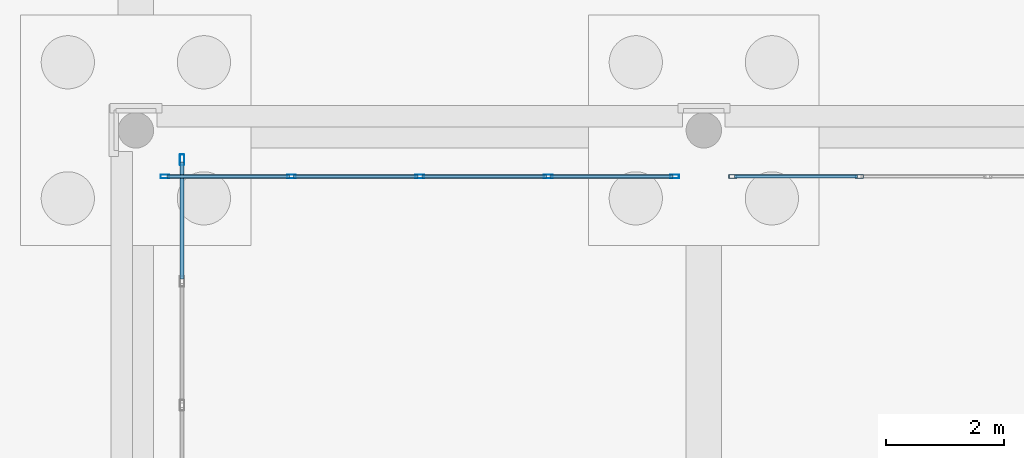
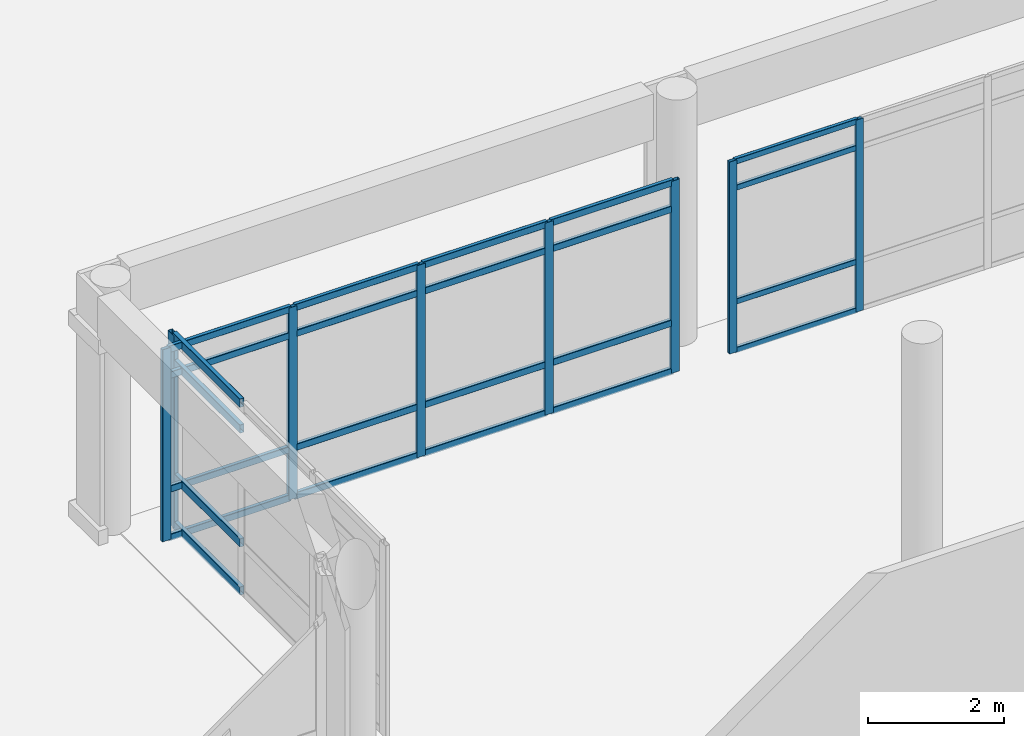
# One storey, part 76 of 196: 32 members, 3 elements without a shape of their own.
"""IFC4 building model written with IfcOpenShell, lengths in metres."""

from ifc_helpers import new_model, si_unit, direction, frame, origin, origin_2d, place, context, subcontext, project, spatial, hollow_rectangle, extrude, material, layer, layer_set, material_profile, profile_set, type_object, element, aggregate, save


model = new_model("IFC4")

# Units and contexts
model_context = context("Model", 3, precision=1e-05, world=origin(), true_north=direction((0.0, 1.0)))
body_context = subcontext(model_context, "Body", "Model", "MODEL_VIEW")
ifc_project = project(units=[si_unit("LENGTHUNIT", "METRE"), si_unit("AREAUNIT", "SQUARE_METRE"), si_unit("VOLUMEUNIT", "CUBIC_METRE"), si_unit("PLANEANGLEUNIT", "RADIAN"), si_unit("MASSUNIT", "GRAM", prefix="KILO")], contexts=[model_context])

# Site, building, storey
site_placement = place(None, origin())
site = spatial("IfcSite", under=ifc_project, at=site_placement, CompositionType="ELEMENT")
building_placement = place(site_placement, origin())
building = spatial("IfcBuilding", under=site, at=building_placement, Name="Asteropetra Specialist Clinic", CompositionType="ELEMENT")
storey_placement = place(building_placement, origin())
storey = spatial("IfcBuildingStorey", under=building, at=storey_placement, Name="L00", CompositionType="ELEMENT", Elevation=0.0)

# Curtain wall, members
ifc_material_1 = material(Name="Aluminium and low-E glass", Category="aluminium")
ifc_layer_1 = layer(ifc_material_1, 0.14990234375)
ifc_layer_set_1 = layer_set([ifc_layer_1], Name="Aluminium and low-E glass")
curtain_wall_type_1 = type_object("IfcCurtainWallType", Name="CW-SYS-11", PredefinedType="USERDEFINED", material=ifc_layer_set_1)
curtain_wall_1_placement = place(storey_placement, origin())
curtain_wall_1 = element("IfcCurtainWall", 1, at=curtain_wall_1_placement, inside=storey, type_object=curtain_wall_type_1, Name="Curtain Wall CW-167", ObjectType="STICK GLAZED COLONNADE", PredefinedType="USERDEFINED")
ifc_material_2 = material(Name="Aluminium 6063-T6", Category="aluminium")
ifc_material_profile_1 = material_profile(ifc_material_2, hollow_rectangle(XDim=0.06005859375, YDim=0.135009765625, WallThickness=0.00341796875, InnerFilletRadius=0.00341796875, OuterFilletRadius=0.007080078125, at=origin_2d()), Name="MUL 135x60x3.5")
ifc_profile_set_1 = profile_set([ifc_material_profile_1], Name="Aluminium 6063-T6")
member_type_1 = type_object("IfcMemberType", Name="CWM-135x60", PredefinedType="MULLION", material=ifc_profile_set_1)
member_1_placement = place(storey_placement, frame((89.030029296875, 61.6201171875, 0.0), z_axis=(0.0, 0.0, 1.0), x_axis=(0.0, -1.0, 0.0)))
member_1 = element("IfcMember", 2, at=member_1_placement, type_object=member_type_1, Name="CW-167 mullion 4", PredefinedType="MULLION", context=body_context, shape_type="SweptSolid", body=[
    extrude(hollow_rectangle(XDim=0.06005859375, YDim=0.135009765625, WallThickness=0.00341796875, InnerFilletRadius=0.00341796875, OuterFilletRadius=0.007080078125, at=origin_2d()), origin(), (0.0, 0.0, 1.0), 3.43994140625),
])
member_2_placement = place(storey_placement, frame((86.889892578125, 61.6201171875, 0.0), z_axis=(0.0, 0.0, 1.0), x_axis=(0.0, -1.0, 0.0)))
member_2 = element("IfcMember", 3, at=member_2_placement, type_object=member_type_1, Name="CW-167 mullion 5", PredefinedType="MULLION", context=body_context, shape_type="SweptSolid", body=[
    extrude(hollow_rectangle(XDim=0.06005859375, YDim=0.135009765625, WallThickness=0.00341796875, InnerFilletRadius=0.00341796875, OuterFilletRadius=0.007080078125, at=origin_2d()), origin(), (0.0, 0.0, 1.0), 3.43994140625),
])

ifc_material_3 = material(Name="Aluminium and low-E glass", Category="aluminium")
ifc_layer_2 = layer(ifc_material_3, 0.135009765625)
ifc_layer_set_2 = layer_set([ifc_layer_2], Name="Aluminium and low-E glass")
curtain_wall_type_2 = type_object("IfcCurtainWallType", Name="CW-SYS-09", PredefinedType="USERDEFINED", material=ifc_layer_set_2)
curtain_wall_2_placement = place(storey_placement, origin())
curtain_wall_2 = element("IfcCurtainWall", 4, at=curtain_wall_2_placement, inside=storey, type_object=curtain_wall_type_2, Name="Curtain Wall CW-166", ObjectType="STICK GLAZED COLONNADE", PredefinedType="USERDEFINED")
ifc_material_4 = material(Name="Aluminium 6063-T6", Category="aluminium")
ifc_material_profile_2 = material_profile(ifc_material_4, hollow_rectangle(XDim=0.06494140625, YDim=0.14990234375, WallThickness=0.00390625, InnerFilletRadius=0.00390625, OuterFilletRadius=0.008056640625, at=origin_2d()), Name="MUL 150x65x4.0")
ifc_profile_set_2 = profile_set([ifc_material_profile_2], Name="Aluminium 6063-T6")
member_type_2 = type_object("IfcMemberType", Name="CWM-150x65", PredefinedType="MULLION", material=ifc_profile_set_2)
member_3_placement = place(storey_placement, frame((85.907470703125, 61.6201171875, 0.0), z_axis=(0.0, 0.0, 1.0), x_axis=(0.0, -1.0, 0.0)))
member_3 = element("IfcMember", 5, at=member_3_placement, type_object=member_type_2, Name="CW-166 mullion 1", PredefinedType="MULLION", context=body_context, shape_type="SweptSolid", body=[
    extrude(hollow_rectangle(XDim=0.06494140625, YDim=0.14990234375, WallThickness=0.00390625, InnerFilletRadius=0.00390625, OuterFilletRadius=0.008056640625, at=origin_2d()), origin(), (0.0, 0.0, 1.0), 3.43994140625),
])
member_4_placement = place(storey_placement, frame((83.77001953125, 61.6201171875, 0.0), z_axis=(0.0, 0.0, 1.0), x_axis=(0.0, -1.0, 0.0)))
member_4 = element("IfcMember", 6, at=member_4_placement, type_object=member_type_2, Name="CW-166 mullion 2", PredefinedType="MULLION", context=body_context, shape_type="SweptSolid", body=[
    extrude(hollow_rectangle(XDim=0.06494140625, YDim=0.14990234375, WallThickness=0.00390625, InnerFilletRadius=0.00390625, OuterFilletRadius=0.008056640625, at=origin_2d()), origin(), (0.0, 0.0, 1.0), 3.43994140625),
])
member_5_placement = place(storey_placement, frame((81.60009765625, 61.6201171875, 0.0), z_axis=(0.0, 0.0, 1.0), x_axis=(0.0, -1.0, 0.0)))
member_5 = element("IfcMember", 7, at=member_5_placement, type_object=member_type_2, Name="CW-166 mullion 3", PredefinedType="MULLION", context=body_context, shape_type="SweptSolid", body=[
    extrude(hollow_rectangle(XDim=0.06494140625, YDim=0.14990234375, WallThickness=0.00390625, InnerFilletRadius=0.00390625, OuterFilletRadius=0.008056640625, at=origin_2d()), origin(), (0.0, 0.0, 1.0), 3.43994140625),
])
member_6_placement = place(storey_placement, frame((79.429931640625, 61.6201171875, 0.0), z_axis=(0.0, 0.0, 1.0), x_axis=(0.0, -1.0, 0.0)))
member_6 = element("IfcMember", 8, at=member_6_placement, type_object=member_type_2, Name="CW-166 mullion 4", PredefinedType="MULLION", context=body_context, shape_type="SweptSolid", body=[
    extrude(hollow_rectangle(XDim=0.06494140625, YDim=0.14990234375, WallThickness=0.00390625, InnerFilletRadius=0.00390625, OuterFilletRadius=0.008056640625, at=origin_2d()), origin(), (0.0, 0.0, 1.0), 3.43994140625),
])
member_7_placement = place(storey_placement, frame((77.29248046875, 61.6201171875, 0.0), z_axis=(0.0, 0.0, 1.0), x_axis=(0.0, -1.0, 0.0)))
member_7 = element("IfcMember", 9, at=member_7_placement, type_object=member_type_2, Name="CW-166 mullion 5", PredefinedType="MULLION", context=body_context, shape_type="SweptSolid", body=[
    extrude(hollow_rectangle(XDim=0.06494140625, YDim=0.14990234375, WallThickness=0.00390625, InnerFilletRadius=0.00390625, OuterFilletRadius=0.008056640625, at=origin_2d()), origin(), (0.0, 0.0, 1.0), 3.43994140625),
])

# Curtain wall, member
ifc_material_5 = material(Name="Aluminium and low-E glass", Category="aluminium")
ifc_layer_3 = layer(ifc_material_5, 0.179931640625)
ifc_layer_set_3 = layer_set([ifc_layer_3], Name="Aluminium and low-E glass")
curtain_wall_type_3 = type_object("IfcCurtainWallType", Name="CW-SYS-01", PredefinedType="USERDEFINED", material=ifc_layer_set_3)
curtain_wall_3_placement = place(storey_placement, origin())
curtain_wall_3 = element("IfcCurtainWall", 10, at=curtain_wall_3_placement, inside=storey, type_object=curtain_wall_type_3, Name="Curtain Wall CW-171", ObjectType="UNITISED CURTAIN WALL", PredefinedType="USERDEFINED")
ifc_material_6 = material(Name="Aluminium 6063-T6", Category="aluminium")
ifc_material_profile_3 = material_profile(ifc_material_6, hollow_rectangle(XDim=0.074951171875, YDim=0.179931640625, WallThickness=0.00390625, InnerFilletRadius=0.00390625, OuterFilletRadius=0.008056640625, at=origin_2d()), Name="MUL 180x75x4.0")
ifc_profile_set_3 = profile_set([ifc_material_profile_3], Name="Aluminium 6063-T6")
member_type_3 = type_object("IfcMemberType", Name="CWM-180x75", PredefinedType="MULLION", material=ifc_profile_set_3)
member_8_placement = place(storey_placement, frame((77.580078125, 61.902587890625, 0.0), z_axis=(0.0, 0.0, 1.0), x_axis=(1.0, 0.0, 0.0)))
member_8 = element("IfcMember", 11, at=member_8_placement, type_object=member_type_3, Name="CW-171 mullion 1", PredefinedType="MULLION", context=body_context, shape_type="SweptSolid", body=[
    extrude(hollow_rectangle(XDim=0.074951171875, YDim=0.179931640625, WallThickness=0.00390625, InnerFilletRadius=0.00390625, OuterFilletRadius=0.008056640625, at=origin_2d()), origin(), (0.0, 0.0, 1.0), 3.43994140625),
])

# Member
ifc_material_7 = material(Name="Aluminium 6063-T6", Category="aluminium")
ifc_material_profile_4 = material_profile(ifc_material_7, hollow_rectangle(XDim=0.06005859375, YDim=0.10009765625, WallThickness=0.00341796875, InnerFilletRadius=0.00341796875, OuterFilletRadius=0.007080078125, at=origin_2d()), Name="TRN 100x60x3.5")
ifc_profile_set_4 = profile_set([ifc_material_profile_4], Name="Aluminium 6063-T6")
member_type_4 = type_object("IfcMemberType", Name="CWT-100x60", PredefinedType="USERDEFINED", material=ifc_profile_set_4)
member_9_placement = place(storey_placement, frame((89.0, 61.6201171875, 0.030029296875), z_axis=(-1.0, 0.0, 0.0), x_axis=(0.0, -1.0, 0.0)))
member_9 = element("IfcMember", 12, at=member_9_placement, type_object=member_type_4, Name="CW-167 transom 4.1", ObjectType="TRANSOM", PredefinedType="USERDEFINED", context=body_context, shape_type="SweptSolid", body=[
    extrude(hollow_rectangle(XDim=0.06005859375, YDim=0.10009765625, WallThickness=0.00341796875, InnerFilletRadius=0.00341796875, OuterFilletRadius=0.007080078125, at=origin_2d()), origin(), (0.0, 0.0, 1.0), 2.080078125),
])

member_10_placement = place(storey_placement, frame((89.0, 61.6201171875, 0.89990234375), z_axis=(-1.0, 0.0, 0.0), x_axis=(0.0, -1.0, 0.0)))
member_10 = element("IfcMember", 13, at=member_10_placement, type_object=member_type_4, Name="CW-167 transom 4.2", ObjectType="TRANSOM", PredefinedType="USERDEFINED", context=body_context, shape_type="SweptSolid", body=[
    extrude(hollow_rectangle(XDim=0.06005859375, YDim=0.10009765625, WallThickness=0.00341796875, InnerFilletRadius=0.00341796875, OuterFilletRadius=0.007080078125, at=origin_2d()), origin(), (0.0, 0.0, 1.0), 2.080078125),
])

member_11_placement = place(storey_placement, frame((89.0, 61.6201171875, 2.93994140625), z_axis=(-1.0, 0.0, 0.0), x_axis=(0.0, -1.0, 0.0)))
member_11 = element("IfcMember", 14, at=member_11_placement, type_object=member_type_4, Name="CW-167 transom 4.3", ObjectType="TRANSOM", PredefinedType="USERDEFINED", context=body_context, shape_type="SweptSolid", body=[
    extrude(hollow_rectangle(XDim=0.06005859375, YDim=0.10009765625, WallThickness=0.00341796875, InnerFilletRadius=0.00341796875, OuterFilletRadius=0.007080078125, at=origin_2d()), origin(), (0.0, 0.0, 1.0), 2.080078125),
])

member_12_placement = place(storey_placement, frame((89.0, 61.6201171875, 3.409912109375), z_axis=(-1.0, 0.0, 0.0), x_axis=(0.0, -1.0, 0.0)))
member_12 = element("IfcMember", 15, at=member_12_placement, type_object=member_type_4, Name="CW-167 transom 4.4", ObjectType="TRANSOM", PredefinedType="USERDEFINED", context=body_context, shape_type="SweptSolid", body=[
    extrude(hollow_rectangle(XDim=0.06005859375, YDim=0.10009765625, WallThickness=0.00341796875, InnerFilletRadius=0.00341796875, OuterFilletRadius=0.007080078125, at=origin_2d()), origin(), (0.0, 0.0, 1.0), 2.080078125),
])

aggregate(curtain_wall_1, [member_1, member_2, member_9, member_10, member_11, member_12])

ifc_material_8 = material(Name="Aluminium 6063-T6", Category="aluminium")
ifc_material_profile_5 = material_profile(ifc_material_8, hollow_rectangle(XDim=0.06494140625, YDim=0.1201171875, WallThickness=0.00390625, InnerFilletRadius=0.00390625, OuterFilletRadius=0.008056640625, at=origin_2d()), Name="TRN 120x65x4.0")
ifc_profile_set_5 = profile_set([ifc_material_profile_5], Name="Aluminium 6063-T6")
member_type_5 = type_object("IfcMemberType", Name="CWT-120x65", PredefinedType="USERDEFINED", material=ifc_profile_set_5)
member_13_placement = place(storey_placement, frame((85.875, 61.6201171875, 0.032470703125), z_axis=(-1.0, 0.0, 0.0), x_axis=(0.0, -1.0, 0.0)))
member_13 = element("IfcMember", 16, at=member_13_placement, type_object=member_type_5, Name="CW-166 transom 1.1", ObjectType="TRANSOM", PredefinedType="USERDEFINED", context=body_context, shape_type="SweptSolid", body=[
    extrude(hollow_rectangle(XDim=0.06494140625, YDim=0.1201171875, WallThickness=0.00390625, InnerFilletRadius=0.00390625, OuterFilletRadius=0.008056640625, at=origin_2d()), origin(), (0.0, 0.0, 1.0), 2.072509765625),
])

member_14_placement = place(storey_placement, frame((85.875, 61.6201171875, 0.89990234375), z_axis=(-1.0, 0.0, 0.0), x_axis=(0.0, -1.0, 0.0)))
member_14 = element("IfcMember", 17, at=member_14_placement, type_object=member_type_5, Name="CW-166 transom 1.2", ObjectType="TRANSOM", PredefinedType="USERDEFINED", context=body_context, shape_type="SweptSolid", body=[
    extrude(hollow_rectangle(XDim=0.06494140625, YDim=0.1201171875, WallThickness=0.00390625, InnerFilletRadius=0.00390625, OuterFilletRadius=0.008056640625, at=origin_2d()), origin(), (0.0, 0.0, 1.0), 2.072509765625),
])

member_15_placement = place(storey_placement, frame((85.875, 61.6201171875, 2.93994140625), z_axis=(-1.0, 0.0, 0.0), x_axis=(0.0, -1.0, 0.0)))
member_15 = element("IfcMember", 18, at=member_15_placement, type_object=member_type_5, Name="CW-166 transom 1.3", ObjectType="TRANSOM", PredefinedType="USERDEFINED", context=body_context, shape_type="SweptSolid", body=[
    extrude(hollow_rectangle(XDim=0.06494140625, YDim=0.1201171875, WallThickness=0.00390625, InnerFilletRadius=0.00390625, OuterFilletRadius=0.008056640625, at=origin_2d()), origin(), (0.0, 0.0, 1.0), 2.072509765625),
])

member_16_placement = place(storey_placement, frame((85.875, 61.6201171875, 3.407470703125), z_axis=(-1.0, 0.0, 0.0), x_axis=(0.0, -1.0, 0.0)))
member_16 = element("IfcMember", 19, at=member_16_placement, type_object=member_type_5, Name="CW-166 transom 1.4", ObjectType="TRANSOM", PredefinedType="USERDEFINED", context=body_context, shape_type="SweptSolid", body=[
    extrude(hollow_rectangle(XDim=0.06494140625, YDim=0.1201171875, WallThickness=0.00390625, InnerFilletRadius=0.00390625, OuterFilletRadius=0.008056640625, at=origin_2d()), origin(), (0.0, 0.0, 1.0), 2.072509765625),
])

member_17_placement = place(storey_placement, frame((83.737548828125, 61.6201171875, 0.032470703125), z_axis=(-1.0, 0.0, 0.0), x_axis=(0.0, -1.0, 0.0)))
member_17 = element("IfcMember", 20, at=member_17_placement, type_object=member_type_5, Name="CW-166 transom 2.1", ObjectType="TRANSOM", PredefinedType="USERDEFINED", context=body_context, shape_type="SweptSolid", body=[
    extrude(hollow_rectangle(XDim=0.06494140625, YDim=0.1201171875, WallThickness=0.00390625, InnerFilletRadius=0.00390625, OuterFilletRadius=0.008056640625, at=origin_2d()), origin(), (0.0, 0.0, 1.0), 2.10498046875),
])

member_18_placement = place(storey_placement, frame((83.737548828125, 61.6201171875, 0.89990234375), z_axis=(-1.0, 0.0, 0.0), x_axis=(0.0, -1.0, 0.0)))
member_18 = element("IfcMember", 21, at=member_18_placement, type_object=member_type_5, Name="CW-166 transom 2.2", ObjectType="TRANSOM", PredefinedType="USERDEFINED", context=body_context, shape_type="SweptSolid", body=[
    extrude(hollow_rectangle(XDim=0.06494140625, YDim=0.1201171875, WallThickness=0.00390625, InnerFilletRadius=0.00390625, OuterFilletRadius=0.008056640625, at=origin_2d()), origin(), (0.0, 0.0, 1.0), 2.10498046875),
])

member_19_placement = place(storey_placement, frame((83.737548828125, 61.6201171875, 2.93994140625), z_axis=(-1.0, 0.0, 0.0), x_axis=(0.0, -1.0, 0.0)))
member_19 = element("IfcMember", 22, at=member_19_placement, type_object=member_type_5, Name="CW-166 transom 2.3", ObjectType="TRANSOM", PredefinedType="USERDEFINED", context=body_context, shape_type="SweptSolid", body=[
    extrude(hollow_rectangle(XDim=0.06494140625, YDim=0.1201171875, WallThickness=0.00390625, InnerFilletRadius=0.00390625, OuterFilletRadius=0.008056640625, at=origin_2d()), origin(), (0.0, 0.0, 1.0), 2.10498046875),
])

member_20_placement = place(storey_placement, frame((83.737548828125, 61.6201171875, 3.407470703125), z_axis=(-1.0, 0.0, 0.0), x_axis=(0.0, -1.0, 0.0)))
member_20 = element("IfcMember", 23, at=member_20_placement, type_object=member_type_5, Name="CW-166 transom 2.4", ObjectType="TRANSOM", PredefinedType="USERDEFINED", context=body_context, shape_type="SweptSolid", body=[
    extrude(hollow_rectangle(XDim=0.06494140625, YDim=0.1201171875, WallThickness=0.00390625, InnerFilletRadius=0.00390625, OuterFilletRadius=0.008056640625, at=origin_2d()), origin(), (0.0, 0.0, 1.0), 2.10498046875),
])

member_21_placement = place(storey_placement, frame((81.5673828125, 61.6201171875, 0.032470703125), z_axis=(-1.0, 0.0, 0.0), x_axis=(0.0, -1.0, 0.0)))
member_21 = element("IfcMember", 24, at=member_21_placement, type_object=member_type_5, Name="CW-166 transom 3.1", ObjectType="TRANSOM", PredefinedType="USERDEFINED", context=body_context, shape_type="SweptSolid", body=[
    extrude(hollow_rectangle(XDim=0.06494140625, YDim=0.1201171875, WallThickness=0.00390625, InnerFilletRadius=0.00390625, OuterFilletRadius=0.008056640625, at=origin_2d()), origin(), (0.0, 0.0, 1.0), 2.10498046875),
])

member_22_placement = place(storey_placement, frame((81.5673828125, 61.6201171875, 0.89990234375), z_axis=(-1.0, 0.0, 0.0), x_axis=(0.0, -1.0, 0.0)))
member_22 = element("IfcMember", 25, at=member_22_placement, type_object=member_type_5, Name="CW-166 transom 3.2", ObjectType="TRANSOM", PredefinedType="USERDEFINED", context=body_context, shape_type="SweptSolid", body=[
    extrude(hollow_rectangle(XDim=0.06494140625, YDim=0.1201171875, WallThickness=0.00390625, InnerFilletRadius=0.00390625, OuterFilletRadius=0.008056640625, at=origin_2d()), origin(), (0.0, 0.0, 1.0), 2.10498046875),
])

member_23_placement = place(storey_placement, frame((81.5673828125, 61.6201171875, 2.93994140625), z_axis=(-1.0, 0.0, 0.0), x_axis=(0.0, -1.0, 0.0)))
member_23 = element("IfcMember", 26, at=member_23_placement, type_object=member_type_5, Name="CW-166 transom 3.3", ObjectType="TRANSOM", PredefinedType="USERDEFINED", context=body_context, shape_type="SweptSolid", body=[
    extrude(hollow_rectangle(XDim=0.06494140625, YDim=0.1201171875, WallThickness=0.00390625, InnerFilletRadius=0.00390625, OuterFilletRadius=0.008056640625, at=origin_2d()), origin(), (0.0, 0.0, 1.0), 2.10498046875),
])

member_24_placement = place(storey_placement, frame((81.5673828125, 61.6201171875, 3.407470703125), z_axis=(-1.0, 0.0, 0.0), x_axis=(0.0, -1.0, 0.0)))
member_24 = element("IfcMember", 27, at=member_24_placement, type_object=member_type_5, Name="CW-166 transom 3.4", ObjectType="TRANSOM", PredefinedType="USERDEFINED", context=body_context, shape_type="SweptSolid", body=[
    extrude(hollow_rectangle(XDim=0.06494140625, YDim=0.1201171875, WallThickness=0.00390625, InnerFilletRadius=0.00390625, OuterFilletRadius=0.008056640625, at=origin_2d()), origin(), (0.0, 0.0, 1.0), 2.10498046875),
])

member_25_placement = place(storey_placement, frame((79.3974609375, 61.6201171875, 0.032470703125), z_axis=(-1.0, 0.0, 0.0), x_axis=(0.0, -1.0, 0.0)))
member_25 = element("IfcMember", 28, at=member_25_placement, type_object=member_type_5, Name="CW-166 transom 4.1", ObjectType="TRANSOM", PredefinedType="USERDEFINED", context=body_context, shape_type="SweptSolid", body=[
    extrude(hollow_rectangle(XDim=0.06494140625, YDim=0.1201171875, WallThickness=0.00390625, InnerFilletRadius=0.00390625, OuterFilletRadius=0.008056640625, at=origin_2d()), origin(), (0.0, 0.0, 1.0), 2.072509765625),
])

member_26_placement = place(storey_placement, frame((79.3974609375, 61.6201171875, 0.89990234375), z_axis=(-1.0, 0.0, 0.0), x_axis=(0.0, -1.0, 0.0)))
member_26 = element("IfcMember", 29, at=member_26_placement, type_object=member_type_5, Name="CW-166 transom 4.2", ObjectType="TRANSOM", PredefinedType="USERDEFINED", context=body_context, shape_type="SweptSolid", body=[
    extrude(hollow_rectangle(XDim=0.06494140625, YDim=0.1201171875, WallThickness=0.00390625, InnerFilletRadius=0.00390625, OuterFilletRadius=0.008056640625, at=origin_2d()), origin(), (0.0, 0.0, 1.0), 2.072509765625),
])

member_27_placement = place(storey_placement, frame((79.3974609375, 61.6201171875, 2.93994140625), z_axis=(-1.0, 0.0, 0.0), x_axis=(0.0, -1.0, 0.0)))
member_27 = element("IfcMember", 30, at=member_27_placement, type_object=member_type_5, Name="CW-166 transom 4.3", ObjectType="TRANSOM", PredefinedType="USERDEFINED", context=body_context, shape_type="SweptSolid", body=[
    extrude(hollow_rectangle(XDim=0.06494140625, YDim=0.1201171875, WallThickness=0.00390625, InnerFilletRadius=0.00390625, OuterFilletRadius=0.008056640625, at=origin_2d()), origin(), (0.0, 0.0, 1.0), 2.072509765625),
])

member_28_placement = place(storey_placement, frame((79.3974609375, 61.6201171875, 3.407470703125), z_axis=(-1.0, 0.0, 0.0), x_axis=(0.0, -1.0, 0.0)))
member_28 = element("IfcMember", 31, at=member_28_placement, type_object=member_type_5, Name="CW-166 transom 4.4", ObjectType="TRANSOM", PredefinedType="USERDEFINED", context=body_context, shape_type="SweptSolid", body=[
    extrude(hollow_rectangle(XDim=0.06494140625, YDim=0.1201171875, WallThickness=0.00390625, InnerFilletRadius=0.00390625, OuterFilletRadius=0.008056640625, at=origin_2d()), origin(), (0.0, 0.0, 1.0), 2.072509765625),
])

aggregate(curtain_wall_2, [member_3, member_4, member_5, member_6, member_7, member_13, member_14, member_15, member_16, member_17, member_18, member_19, member_20, member_21, member_22, member_23, member_24, member_25, member_26, member_27, member_28])

ifc_material_9 = material(Name="Aluminium 6063-T6", Category="aluminium")
ifc_material_profile_6 = material_profile(ifc_material_9, hollow_rectangle(XDim=0.074951171875, YDim=0.14990234375, WallThickness=0.00390625, InnerFilletRadius=0.00390625, OuterFilletRadius=0.008056640625, at=origin_2d()), Name="TRN 150x75x4.0")
ifc_profile_set_6 = profile_set([ifc_material_profile_6], Name="Aluminium 6063-T6")
member_type_6 = type_object("IfcMemberType", Name="CWT-150x75", PredefinedType="USERDEFINED", material=ifc_profile_set_6)
member_29_placement = place(storey_placement, frame((77.580078125, 61.864990234375, 0.03759765625), z_axis=(0.0, -1.0, 0.0), x_axis=(1.0, 0.0, 0.0)))
member_29 = element("IfcMember", 32, at=member_29_placement, type_object=member_type_6, Name="CW-171 transom 1.1", ObjectType="TRANSOM", PredefinedType="USERDEFINED", context=body_context, shape_type="SweptSolid", body=[
    extrude(hollow_rectangle(XDim=0.074951171875, YDim=0.14990234375, WallThickness=0.00390625, InnerFilletRadius=0.00390625, OuterFilletRadius=0.008056640625, at=origin_2d()), origin(), (0.0, 0.0, 1.0), 1.980712890625),
])

member_30_placement = place(storey_placement, frame((77.580078125, 61.864990234375, 0.89990234375), z_axis=(0.0, -1.0, 0.0), x_axis=(1.0, 0.0, 0.0)))
member_30 = element("IfcMember", 33, at=member_30_placement, type_object=member_type_6, Name="CW-171 transom 1.2", ObjectType="TRANSOM", PredefinedType="USERDEFINED", context=body_context, shape_type="SweptSolid", body=[
    extrude(hollow_rectangle(XDim=0.074951171875, YDim=0.14990234375, WallThickness=0.00390625, InnerFilletRadius=0.00390625, OuterFilletRadius=0.008056640625, at=origin_2d()), origin(), (0.0, 0.0, 1.0), 1.980712890625),
])

member_31_placement = place(storey_placement, frame((77.580078125, 61.864990234375, 2.93994140625), z_axis=(0.0, -1.0, 0.0), x_axis=(1.0, 0.0, 0.0)))
member_31 = element("IfcMember", 34, at=member_31_placement, type_object=member_type_6, Name="CW-171 transom 1.3", ObjectType="TRANSOM", PredefinedType="USERDEFINED", context=body_context, shape_type="SweptSolid", body=[
    extrude(hollow_rectangle(XDim=0.074951171875, YDim=0.14990234375, WallThickness=0.00390625, InnerFilletRadius=0.00390625, OuterFilletRadius=0.008056640625, at=origin_2d()), origin(), (0.0, 0.0, 1.0), 1.980712890625),
])

member_32_placement = place(storey_placement, frame((77.580078125, 61.864990234375, 3.402587890625), z_axis=(0.0, -1.0, 0.0), x_axis=(1.0, 0.0, 0.0)))
member_32 = element("IfcMember", 35, at=member_32_placement, type_object=member_type_6, Name="CW-171 transom 1.4", ObjectType="TRANSOM", PredefinedType="USERDEFINED", context=body_context, shape_type="SweptSolid", body=[
    extrude(hollow_rectangle(XDim=0.074951171875, YDim=0.14990234375, WallThickness=0.00390625, InnerFilletRadius=0.00390625, OuterFilletRadius=0.008056640625, at=origin_2d()), origin(), (0.0, 0.0, 1.0), 1.980712890625),
])

aggregate(curtain_wall_3, [member_8, member_29, member_30, member_31, member_32])

save(model, "model.ifc")
